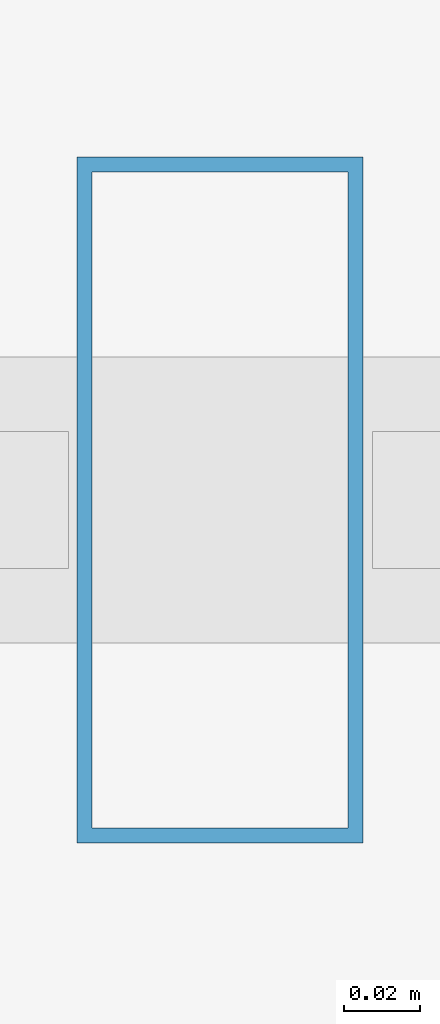
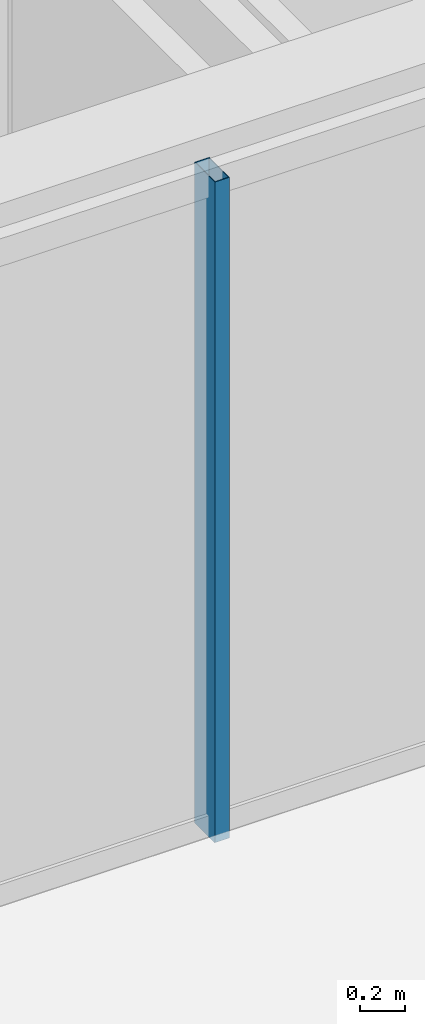
# One storey, part 9 of 36: 1 member, 1 element without a shape of its own.
"""IFC4 building model written with IfcOpenShell, lengths in metres."""

from ifc_helpers import new_model, si_unit, direction, frame, origin, origin_2d, place, context, subcontext, project, spatial, hollow_rectangle, extrude, material, layer, layer_set, material_profile, profile_set, type_object, element, aggregate, save


model = new_model("IFC4")

# Units and contexts
model_context = context("Model", 3, precision=1e-05, world=origin(), true_north=direction((0.0, 1.0)))
body_context = subcontext(model_context, "Body", "Model", "MODEL_VIEW")
ifc_project = project(units=[si_unit("LENGTHUNIT", "METRE"), si_unit("AREAUNIT", "SQUARE_METRE"), si_unit("VOLUMEUNIT", "CUBIC_METRE"), si_unit("PLANEANGLEUNIT", "RADIAN"), si_unit("MASSUNIT", "GRAM", prefix="KILO")], contexts=[model_context])

# Site, building, storey
site_placement = place(None, origin())
site = spatial("IfcSite", under=ifc_project, at=site_placement, CompositionType="ELEMENT")
building_placement = place(site_placement, origin())
building = spatial("IfcBuilding", under=site, at=building_placement, Name="Ndaravel Arena Tower", CompositionType="ELEMENT")
storey_placement = place(building_placement, frame((0.0, 0.0, 127.0)))
storey = spatial("IfcBuildingStorey", under=building, at=storey_placement, Name="L29", CompositionType="ELEMENT", Elevation=127.0)

# Curtain wall, member
ifc_material_1 = material(Name="Aluminium", Category="aluminium")
ifc_layer = layer(ifc_material_1, 0.179931640625)
ifc_layer_set = layer_set([ifc_layer], Name="Aluminium")
curtain_wall_type = type_object("IfcCurtainWallType", Name="CW-SYS-03", PredefinedType="NOTDEFINED", material=ifc_layer_set)
curtain_wall_placement = place(storey_placement, origin())
curtain_wall = element("IfcCurtainWall", 1, at=curtain_wall_placement, inside=storey, type_object=curtain_wall_type, Name="L29 Faceted Crystal Curtain Wall CW-L29-E01", PredefinedType="NOTDEFINED")
ifc_material_2 = material(Name="Aluminium", Category="aluminium")
ifc_material_profile = material_profile(ifc_material_2, hollow_rectangle(XDim=0.074951171875, YDim=0.179931640625, WallThickness=0.00390625, at=origin_2d()), Name="CW MULLION 75x180x4")
ifc_profile_set = profile_set([ifc_material_profile], Name="Aluminium")
member_type = type_object("IfcMemberType", Name="MEM-CW-MUL180", PredefinedType="MULLION", material=ifc_profile_set)
member_placement = place(storey_placement, frame((46.361083984375, 5.159912109375, 0.0), z_axis=(0.0, 0.0, 1.0), x_axis=(1.0, 0.0, 0.0)))
member = element("IfcMember", 2, at=member_placement, type_object=member_type, Name="CW-L29-E01 Mullion 05", PredefinedType="MULLION", context=body_context, shape_type="SweptSolid", body=[
    extrude(hollow_rectangle(XDim=0.074951171875, YDim=0.179931640625, WallThickness=0.00390625, at=origin_2d()), origin(), (0.0, 0.0, 1.0), 3.580078125),
])
aggregate(curtain_wall, [member])

save(model, "model.ifc")
